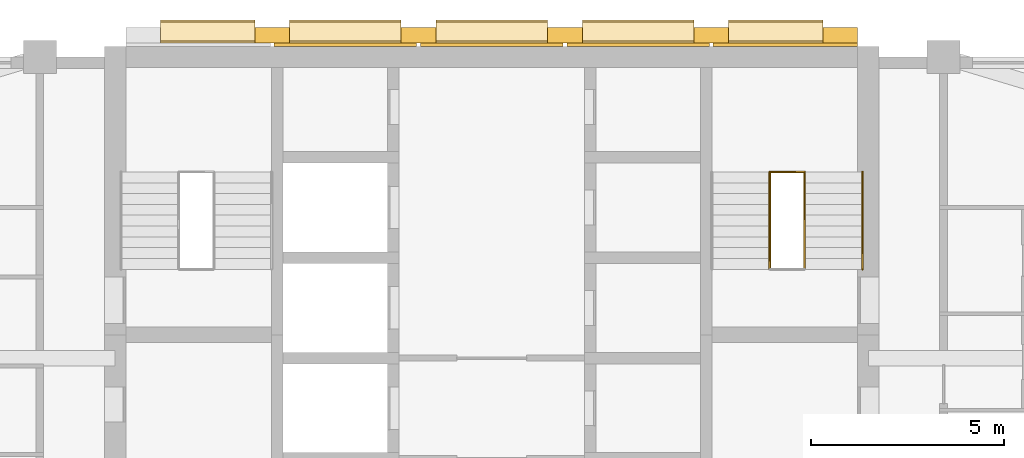
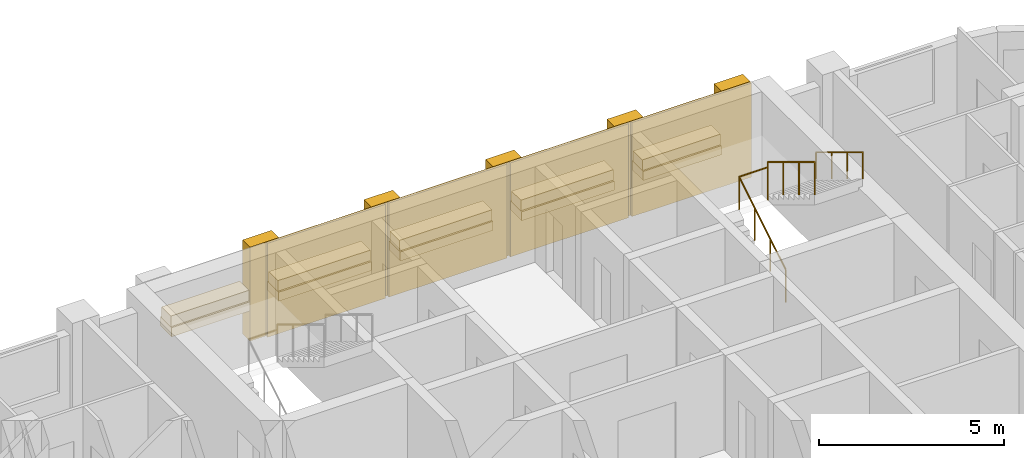
# One storey, part 14 of 14: 19 coverings, 4 railings, 1 element without a shape of its own.
"""IFC4 building model written with IfcOpenShell, lengths in metres."""

from ifc_helpers import new_model, si_unit, direction, frame, origin, origin_2d, place, context, subcontext, project, spatial, rectangle, circle, extrude, material, layer, layer_set, type_object, element, aggregate, save


model = new_model("IFC4")

# Units and contexts
model_context = context("Model", 3, precision=1e-05, world=origin(), true_north=direction((0.0, 1.0)))
body_context = subcontext(model_context, "Body", "Model", "MODEL_VIEW")
ifc_project = project(units=[si_unit("LENGTHUNIT", "METRE"), si_unit("AREAUNIT", "SQUARE_METRE"), si_unit("VOLUMEUNIT", "CUBIC_METRE"), si_unit("PLANEANGLEUNIT", "RADIAN"), si_unit("MASSUNIT", "GRAM", prefix="KILO")], contexts=[model_context])

# Site, building, storey
site_placement = place(None, origin())
site = spatial("IfcSite", under=ifc_project, at=site_placement, CompositionType="ELEMENT")
building_placement = place(site_placement, origin())
building = spatial("IfcBuilding", under=site, at=building_placement, Name="Ludao Terraces", CompositionType="ELEMENT")
storey_placement = place(building_placement, frame((0.0, 0.0, 103.300048828125)))
storey = spatial("IfcBuildingStorey", under=building, at=storey_placement, Name="L28", CompositionType="ELEMENT", Elevation=103.300048828125)

# Coverings
ifc_material_1 = material(Name="Granite cladding", Category="masonry")
ifc_layer_1 = layer(ifc_material_1, 0.39990234375)
ifc_layer_set_1 = layer_set([ifc_layer_1], Name="ENV Core pilaster stone 400")
covering_type_1 = type_object("IfcCoveringType", Name="ENV Core pilaster stone 400", PredefinedType="CLADDING", material=ifc_layer_set_1)
for number, where, z_axis, x_axis, name in (
    (1, (79.31494140625, 85.054931640625, 0.0), (0.0, 0.0, 1.0), (1.0, 0.0, 0.0), "CC-L28-PIL2"),
    (2, (83.10498046875, 85.054931640625, 0.0), (0.0, 0.0, 1.0), (1.0, 0.0, 0.0), "CC-L28-PIL3"),
    (3, (86.89501953125, 85.054931640625, 0.0), (0.0, 0.0, 1.0), (1.0, 0.0, 0.0), "CC-L28-PIL4"),
    (4, (90.68505859375, 85.054931640625, 0.0), (0.0, 0.0, 1.0), (1.0, 0.0, 0.0), "CC-L28-PIL5"),
    (5, (94.02490234375, 85.054931640625, 0.0), (0.0, 0.0, 1.0), (1.0, 0.0, 0.0), "CC-L28-PIL6"),
):
    element("IfcCovering", number, at=place(storey_placement, frame(where, z_axis=z_axis, x_axis=x_axis)), inside=storey, type_object=covering_type_1, Name=name, PredefinedType="CLADDING", context=body_context, shape_type="SweptSolid", body=[
        extrude(rectangle(XDim=0.89990234375, YDim=0.39990234375, at=origin_2d()), origin(), (0.0, 0.0, 1.0), 3.10009765625),
    ])
ifc_layer_2 = layer(ifc_material_1, 0.60009765625)
ifc_layer_set_2 = layer_set([ifc_layer_2], Name="ENV Core planting shelf stone 600")
covering_type_2 = type_object("IfcCoveringType", Name="ENV Core planting shelf stone 600", PredefinedType="CLADDING", material=ifc_layer_set_2)
covering_1_placement = place(storey_placement, frame((77.64501953125, 85.155029296875, 1.0), z_axis=(0.0, 0.0, 1.0), x_axis=(1.0, 0.0, 0.0)))
element("IfcCovering", 6, at=covering_1_placement, inside=storey, type_object=covering_type_2, Name="CC-L28-SHELF1", PredefinedType="CLADDING", context=body_context, shape_type="SweptSolid", body=[
    extrude(rectangle(XDim=2.43994140625, YDim=0.60009765625, at=origin_2d()), origin(), (0.0, 0.0, 1.0), 0.300048828125),
])
for number, where, z_axis, x_axis, name in (
    (7, (81.2099609375, 85.155029296875, 1.0), (0.0, 0.0, 1.0), (1.0, 0.0, 0.0), "CC-L28-SHELF2"),
    (8, (85.0, 85.155029296875, 1.0), (0.0, 0.0, 1.0), (1.0, 0.0, 0.0), "CC-L28-SHELF3"),
    (9, (88.7900390625, 85.155029296875, 1.0), (0.0, 0.0, 1.0), (1.0, 0.0, 0.0), "CC-L28-SHELF4"),
):
    element("IfcCovering", number, at=place(storey_placement, frame(where, z_axis=z_axis, x_axis=x_axis)), inside=storey, type_object=covering_type_2, Name=name, PredefinedType="CLADDING", context=body_context, shape_type="SweptSolid", body=[
        extrude(rectangle(XDim=2.889892578125, YDim=0.60009765625, at=origin_2d()), origin(), (0.0, 0.0, 1.0), 0.300048828125),
    ])
covering_2_placement = place(storey_placement, frame((92.35498046875, 85.155029296875, 1.0), z_axis=(0.0, 0.0, 1.0), x_axis=(1.0, 0.0, 0.0)))
element("IfcCovering", 10, at=covering_2_placement, inside=storey, type_object=covering_type_2, Name="CC-L28-SHELF5", PredefinedType="CLADDING", context=body_context, shape_type="SweptSolid", body=[
    extrude(rectangle(XDim=2.43994140625, YDim=0.60009765625, at=origin_2d()), origin(), (0.0, 0.0, 1.0), 0.300048828125),
])
ifc_layer_3 = layer(ifc_material_1, 0.080078125)
ifc_layer_set_3 = layer_set([ifc_layer_3], Name="ENV Core stone cladding panel 80")
covering_type_3 = type_object("IfcCoveringType", Name="ENV Core stone cladding panel 80", PredefinedType="CLADDING", material=ifc_layer_set_3)
for number, where, z_axis, x_axis, name in (
    (11, (81.2099609375, 84.81494140625, 0.0), (0.0, 0.0, 1.0), (1.0, 0.0, 0.0), "CC-L28-CORE2"),
    (12, (85.0, 84.81494140625, 0.0), (0.0, 0.0, 1.0), (1.0, 0.0, 0.0), "CC-L28-CORE3"),
    (13, (88.7900390625, 84.81494140625, 0.0), (0.0, 0.0, 1.0), (1.0, 0.0, 0.0), "CC-L28-CORE4"),
):
    element("IfcCovering", number, at=place(storey_placement, frame(where, z_axis=z_axis, x_axis=x_axis)), inside=storey, type_object=covering_type_3, Name=name, PredefinedType="CLADDING", context=body_context, shape_type="SweptSolid", body=[
        extrude(rectangle(XDim=3.68994140625, YDim=0.080078125, at=origin_2d()), origin(), (0.0, 0.0, 1.0), 3.10009765625),
    ])
covering_3_placement = place(storey_placement, frame((92.60498046875, 84.81494140625, 0.0), z_axis=(0.0, 0.0, 1.0), x_axis=(1.0, 0.0, 0.0)))
element("IfcCovering", 14, at=covering_3_placement, inside=storey, type_object=covering_type_3, Name="CC-L28-CORE5", PredefinedType="CLADDING", context=body_context, shape_type="SweptSolid", body=[
    extrude(rectangle(XDim=3.739990234375, YDim=0.080078125, at=origin_2d()), origin(), (0.0, 0.0, 1.0), 3.10009765625),
])
ifc_material_2 = material(Name="Planting")
ifc_layer_4 = layer(ifc_material_2, 0.5)
ifc_layer_set_4 = layer_set([ifc_layer_4], Name="ENV Shelf planting bed 350")
covering_type_4 = type_object("IfcCoveringType", Name="ENV Shelf planting bed 350", PredefinedType="USERDEFINED", material=ifc_layer_set_4)
covering_4_placement = place(storey_placement, frame((77.64501953125, 85.155029296875, 1.2998046875), z_axis=(0.0, 0.0, 1.0), x_axis=(1.0, 0.0, 0.0)))
element("IfcCovering", 15, at=covering_4_placement, inside=storey, type_object=covering_type_4, Name="Shelf planting bed L28 1", ObjectType="PLANTING", PredefinedType="USERDEFINED", context=body_context, shape_type="SweptSolid", body=[
    extrude(rectangle(XDim=2.43994140625, YDim=0.5, at=origin_2d()), origin(), (0.0, 0.0, 1.0), 0.35009765625),
])
for number, where, z_axis, x_axis, name in (
    (16, (81.2099609375, 85.155029296875, 1.2998046875), (0.0, 0.0, 1.0), (1.0, 0.0, 0.0), "Shelf planting bed L28 2"),
    (17, (85.0, 85.155029296875, 1.2998046875), (0.0, 0.0, 1.0), (1.0, 0.0, 0.0), "Shelf planting bed L28 3"),
    (18, (88.7900390625, 85.155029296875, 1.2998046875), (0.0, 0.0, 1.0), (1.0, 0.0, 0.0), "Shelf planting bed L28 4"),
):
    element("IfcCovering", number, at=place(storey_placement, frame(where, z_axis=z_axis, x_axis=x_axis)), inside=storey, type_object=covering_type_4, Name=name, ObjectType="PLANTING", PredefinedType="USERDEFINED", context=body_context, shape_type="SweptSolid", body=[
        extrude(rectangle(XDim=2.889892578125, YDim=0.5, at=origin_2d()), origin(), (0.0, 0.0, 1.0), 0.35009765625),
    ])
covering_5_placement = place(storey_placement, frame((92.35498046875, 85.155029296875, 1.2998046875), z_axis=(0.0, 0.0, 1.0), x_axis=(1.0, 0.0, 0.0)))
element("IfcCovering", 19, at=covering_5_placement, inside=storey, type_object=covering_type_4, Name="Shelf planting bed L28 5", ObjectType="PLANTING", PredefinedType="USERDEFINED", context=body_context, shape_type="SweptSolid", body=[
    extrude(rectangle(XDim=2.43994140625, YDim=0.5, at=origin_2d()), origin(), (0.0, 0.0, 1.0), 0.35009765625),
])

# Stair, railings
ifc_material_3 = material(Name="Concrete C40", Category="concrete")
stair_type = type_object("IfcStairType", Name="INT Stair", PredefinedType="HALF_TURN_STAIR", material=ifc_material_3)
stair_placement = place(storey_placement, origin())
stair = element("IfcStair", 20, at=stair_placement, inside=storey, type_object=stair_type, Name="EXIT STAIR 2", PredefinedType="HALF_TURN_STAIR")
ifc_material_4 = material(Name="Stainless steel 304", Category="steel")
railing_type_1 = type_object("IfcRailingType", Name="INT Stair guard 1100", PredefinedType="GUARDRAIL", material=ifc_material_4)
railing_1_placement = place(storey_placement, frame((92.199951171875, 79.0, 0.169921875)))
railing_1 = element("IfcRailing", 21, at=railing_1_placement, type_object=railing_type_1, Name="ST-L28-S2-R1G", PredefinedType="GUARDRAIL", context=body_context, shape_type="SweptSolid", body=[
    extrude(circle(Radius=0.02392578125, at=origin_2d()), frame((0.0, 0.0, 1.076171875), z_axis=(0.0, 0.85478489116, 0.518982456201), x_axis=(-1.0, 0.0, 0.0)), (0.0, 0.0, 1.0), 2.9482421875),
    extrude(circle(Radius=0.02099609375, at=origin_2d()), origin(), (0.0, 0.0, 1.0), 1.052001953125),
    extrude(circle(Radius=0.02099609375, at=origin_2d()), frame((0.0, 0.840087890625, 0.510009765625)), (0.0, 0.0, 1.0), 1.052001953125),
    extrude(circle(Radius=0.02099609375, at=origin_2d()), frame((0.0, 1.679931640625, 1.02001953125)), (0.0, 0.0, 1.0), 1.052001953125),
    extrude(circle(Radius=0.02099609375, at=origin_2d()), frame((0.0, 2.52001953125, 1.530029296875)), (0.0, 0.0, 1.0), 1.052001953125),
])
railing_2_placement = place(storey_placement, frame((93.10009765625, 81.52001953125, 1.869873046875)))
railing_2 = element("IfcRailing", 22, at=railing_2_placement, type_object=railing_type_1, Name="ST-L28-S2-R2G", PredefinedType="GUARDRAIL", context=body_context, shape_type="SweptSolid", body=[
    extrude(circle(Radius=0.02392578125, at=origin_2d()), frame((0.0, 0.0, 1.076171875), z_axis=(0.0, -0.85478489116, 0.518982456201), x_axis=(1.0, 0.0, 0.0)), (0.0, 0.0, 1.0), 2.9482421875),
    extrude(circle(Radius=0.02099609375, at=origin_2d()), origin(), (0.0, 0.0, 1.0), 1.052001953125),
    extrude(circle(Radius=0.02099609375, at=origin_2d()), frame((0.0, -0.840087890625, 0.510009765625)), (0.0, 0.0, 1.0), 1.052001953125),
    extrude(circle(Radius=0.02099609375, at=origin_2d()), frame((0.0, -1.679931640625, 1.02001953125)), (0.0, 0.0, 1.0), 1.052001953125),
    extrude(circle(Radius=0.02099609375, at=origin_2d()), frame((0.0, -2.52001953125, 1.530029296875)), (0.0, 0.0, 1.0), 1.052001953125),
])
railing_3_placement = place(storey_placement, frame((92.199951171875, 81.52001953125, 1.699951171875)))
railing_3 = element("IfcRailing", 23, at=railing_3_placement, type_object=railing_type_1, Name="ST-L28-S2-E1G", PredefinedType="GUARDRAIL", context=body_context, shape_type="SweptSolid", body=[
    extrude(circle(Radius=0.02392578125, at=origin_2d()), frame((0.0, 0.0, 1.076171875), z_axis=(1.0, 0.0, 0.0), x_axis=(0.0, 1.0, 0.0)), (0.0, 0.0, 1.0), 0.900146484375),
    extrude(circle(Radius=0.02099609375, at=origin_2d()), origin(), (0.0, 0.0, 1.0), 1.052001953125),
    extrude(circle(Radius=0.02099609375, at=origin_2d()), frame((0.900146484375, 0.0, 0.0)), (0.0, 0.0, 1.0), 1.052001953125),
])
railing_type_2 = type_object("IfcRailingType", Name="INT Stair handrail 900", PredefinedType="HANDRAIL", material=ifc_material_4)
railing_4_placement = place(storey_placement, frame((94.60009765625, 81.52001953125, 1.869873046875)))
railing_4 = element("IfcRailing", 24, at=railing_4_placement, type_object=railing_type_2, Name="ST-L28-S2-R2H", PredefinedType="HANDRAIL", context=body_context, shape_type="SweptSolid", body=[
    extrude(circle(Radius=0.02392578125, at=origin_2d()), frame((0.0, 0.0, 0.8759765625), z_axis=(0.0, -0.85478489116, 0.518982456201), x_axis=(1.0, 0.0, 0.0)), (0.0, 0.0, 1.0), 2.9482421875),
    extrude(circle(Radius=0.02099609375, at=origin_2d()), origin(), (0.0, 0.0, 1.0), 0.851806640625),
    extrude(circle(Radius=0.02099609375, at=origin_2d()), frame((0.0, -0.840087890625, 0.510009765625)), (0.0, 0.0, 1.0), 0.851806640625),
    extrude(circle(Radius=0.02099609375, at=origin_2d()), frame((0.0, -1.679931640625, 1.02001953125)), (0.0, 0.0, 1.0), 0.851806640625),
    extrude(circle(Radius=0.02099609375, at=origin_2d()), frame((0.0, -2.52001953125, 1.530029296875)), (0.0, 0.0, 1.0), 0.851806640625),
])
aggregate(stair, [railing_1, railing_2, railing_4, railing_3])

save(model, "model.ifc")
